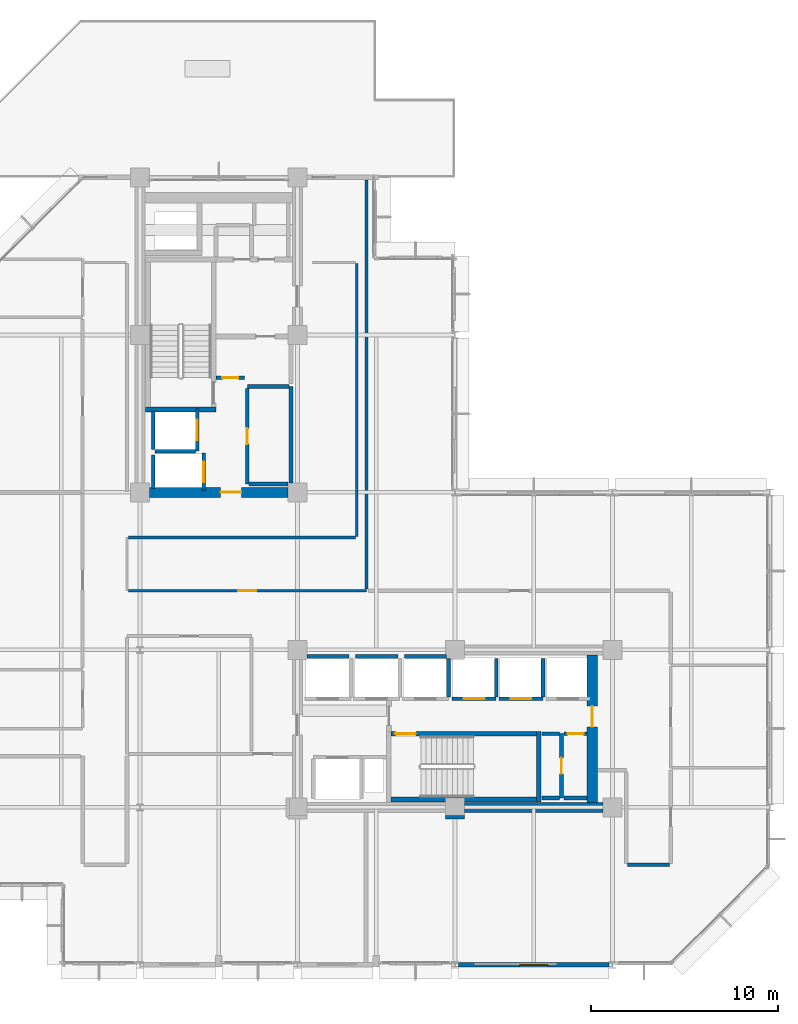
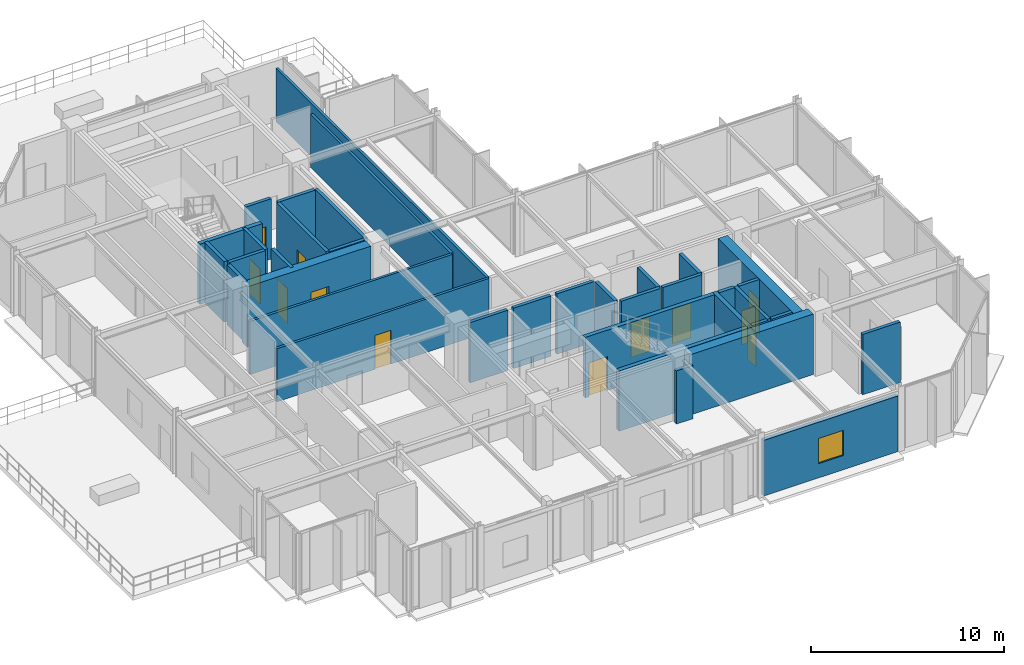
# One storey, part 16 of 21: 37 walls, 12 doors, 1 window, 13 openings.
"""IFC4 building model written with IfcOpenShell, lengths in metres."""

from ifc_helpers import new_model, si_unit, direction, frame, frame_2d, origin, place, context, subcontext, project, spatial, rectangle, extrude, material, layer, layer_set, type_object, element, fill, save


model = new_model("IFC4")

# Units and contexts
model_context = context("Model", 3, precision=1e-05, world=origin(), true_north=direction((0.0, 1.0)))
body_context = subcontext(model_context, "Body", "Model", "MODEL_VIEW")
ifc_project = project(units=[si_unit("LENGTHUNIT", "METRE"), si_unit("AREAUNIT", "SQUARE_METRE"), si_unit("VOLUMEUNIT", "CUBIC_METRE"), si_unit("PLANEANGLEUNIT", "RADIAN"), si_unit("MASSUNIT", "GRAM", prefix="KILO")], contexts=[model_context])

# Site, building, storey
site_placement = place(None, origin())
site = spatial("IfcSite", under=ifc_project, at=site_placement, CompositionType="ELEMENT")
building_placement = place(site_placement, origin())
building = spatial("IfcBuilding", under=site, at=building_placement, Name="Nerrivon Quay Data Exchange", CompositionType="ELEMENT")
storey_placement = place(building_placement, frame((0.0, 0.0, 220.60009765625)))
storey = spatial("IfcBuildingStorey", under=building, at=storey_placement, Name="L52", CompositionType="ELEMENT", Elevation=220.60009765625)

# Wall, opening, window
ifc_material_1 = material(Name="Architectural terracotta precast concrete N50 (50 MPa)", Category="masonry")
ifc_layer_1 = layer(ifc_material_1, 0.239990234375)
ifc_layer_set_1 = layer_set([ifc_layer_1], Name="Architectural terracotta precast concrete N50 (50 MPa)")
wall_type_1 = type_object("IfcWallType", Name="EW-PREC-240", PredefinedType="STANDARD", material=ifc_layer_set_1)
wall_1_placement = place(storey_placement, frame((33.425048828125, 0.0, 0.0), z_axis=(0.0, 0.0, 1.0), x_axis=(-1.0, 0.0, 0.0)))
wall_1 = element("IfcWall", 1, at=wall_1_placement, inside=storey, type_object=wall_type_1, Name="L52 Podium Precast Spandrel Wall 3", PredefinedType="STANDARD", context=body_context, shape_type="SweptSolid", body=[
    extrude(rectangle(XDim=8.050048828125, YDim=0.239990234375, at=frame_2d((4.02490234375, 0.0))), origin(), (0.0, 0.0, 1.0), 3.52490234375),
])
opening_1_placement = place(wall_1_placement, frame((3.27490234375, 0.0, 0.89990234375)))
opening_1 = element("IfcOpeningElement", 2, at=opening_1_placement, cuts=wall_1, Name="Opening WN4", PredefinedType="OPENING", context=body_context, shape_type="SweptSolid", body=[
    extrude(rectangle(XDim=1.5, YDim=1.60009765625, at=frame_2d((0.75, 0.800048828125))), frame((0.0, 0.1298828125, 0.0), z_axis=(0.0, -1.0, 0.0), x_axis=(1.0, 0.0, 0.0)), (0.0, 0.0, 1.0), 0.260009765625),
])
ifc_material_2 = material(Name="Double-glazed low-E solar control glass", Category="glass")
window_type = type_object("IfcWindowType", Name="WIN-W4-1500x1600", PartitioningType="SINGLE_PANEL", PredefinedType="WINDOW", material=ifc_material_2)
window_placement = place(opening_1_placement, origin())
window = element("IfcWindow", 3, at=window_placement, inside=storey, type_object=window_type, Name="L52 Solar Facade Window 3", OverallHeight=1.60009765625, OverallWidth=1.5, PartitioningType="SINGLE_PANEL", PredefinedType="WINDOW", context=body_context, shape_type="SweptSolid", body=[
    extrude(rectangle(XDim=1.5, YDim=1.60009765625, at=frame_2d((0.75, 0.800048828125))), frame((0.0, 0.030029296875, 0.0), z_axis=(0.0, -1.0, 0.0), x_axis=(1.0, 0.0, 0.0)), (0.0, 0.0, 1.0), 0.06005859375),
])
fill(opening_1, window)

# Wall, opening, door
ifc_material_3 = material(Name="Concrete S65 (65 MPa)", Category="concrete")
ifc_layer_2 = layer(ifc_material_3, 0.550048828125)
ifc_layer_set_2 = layer_set([ifc_layer_2], Name="Concrete S65 (65 MPa)")
wall_type_2 = type_object("IfcWallType", Name="WALL-CW-700", PredefinedType="SHEAR", material=ifc_layer_set_2)
wall_2_placement = place(storey_placement, frame((8.89990234375, 25.199951171875, 0.0), z_axis=(0.0, 0.0, 1.0), x_axis=(1.0, 0.0, 0.0)))
wall_2 = element("IfcWall", 4, at=wall_2_placement, inside=storey, type_object=wall_type_2, Name="L52 West Split-Core Shear Wall WCW-S1", PredefinedType="SHEAR", context=body_context, shape_type="SweptSolid", body=[
    extrude(rectangle(XDim=7.400146484375, YDim=0.550048828125, at=frame_2d((3.7001953125, 0.0))), origin(), (0.0, 0.0, 1.0), 3.824951171875),
])
opening_2_placement = place(wall_2_placement, frame((3.800048828125, 0.0, 0.0)))
opening_2 = element("IfcOpeningElement", 5, at=opening_2_placement, cuts=wall_2, Name="Opening FD-120", PredefinedType="OPENING", context=body_context, shape_type="SweptSolid", body=[
    extrude(rectangle(XDim=1.10009765625, YDim=2.14990234375, at=frame_2d((0.550048828125, 1.074951171875))), frame((0.0, 0.284912109375, 0.0), z_axis=(0.0, -1.0, 0.0), x_axis=(1.0, 0.0, 0.0)), (0.0, 0.0, 1.0), 0.570068359375),
])
ifc_material_4 = material(Name="Powder-coated galvanized steel sheet", Category="steel")
door_type_1 = type_object("IfcDoorType", Name="DR-FD120-1100", OperationType="NOTDEFINED", PredefinedType="DOOR", material=ifc_material_4)
door_1_placement = place(opening_2_placement, origin())
door_1 = element("IfcDoor", 6, at=door_1_placement, inside=storey, type_object=door_type_1, Name="L52 West Core Lobby Fire Door", OperationType="SINGLE_SWING_RIGHT", OverallHeight=2.14990234375, OverallWidth=1.10009765625, PredefinedType="DOOR", context=body_context, shape_type="SweptSolid", body=[
    extrude(rectangle(XDim=1.10009765625, YDim=2.14990234375, at=frame_2d((0.550048828125, 1.074951171875))), frame((0.0, 0.02490234375, 0.0), z_axis=(0.0, -1.0, 0.0), x_axis=(1.0, 0.0, 0.0)), (0.0, 0.0, 1.0), 0.050048828125),
])
fill(opening_2, door_1)

# Wall
wall_3_placement = place(storey_placement, frame((25.699951171875, 8.39990234375, 0.0), z_axis=(0.0, 0.0, 1.0), x_axis=(1.0, 0.0, 0.0)))
element("IfcWall", 7, at=wall_3_placement, inside=storey, type_object=wall_type_2, Name="L52 East Split-Core Shear Wall ECW-S2", PredefinedType="SHEAR", context=body_context, shape_type="SweptSolid", body=[
    extrude(rectangle(XDim=7.400146484375, YDim=0.550048828125, at=frame_2d((3.7001953125, 0.0))), origin(), (0.0, 0.0, 1.0), 3.824951171875),
])

# Wall, opening, door
wall_4_placement = place(storey_placement, frame((32.52490234375, 8.675048828125, 0.0), z_axis=(0.0, 0.0, 1.0), x_axis=(0.0, 1.0, 0.0)))
wall_4 = element("IfcWall", 8, at=wall_4_placement, inside=storey, type_object=wall_type_2, Name="L52 East Split-Core Shear Wall ECW-E1", PredefinedType="SHEAR", context=body_context, shape_type="SweptSolid", body=[
    extrude(rectangle(XDim=7.849853515625, YDim=0.550048828125, at=frame_2d((3.9248046875, 0.0))), origin(), (0.0, 0.0, 1.0), 3.824951171875),
])
opening_3_placement = place(wall_4_placement, frame((4.02490234375, 0.0, 0.0)))
opening_3 = element("IfcOpeningElement", 9, at=opening_3_placement, cuts=wall_4, Name="Opening FD-120", PredefinedType="OPENING", context=body_context, shape_type="SweptSolid", body=[
    extrude(rectangle(XDim=1.10009765625, YDim=2.14990234375, at=frame_2d((0.550048828125, 1.074951171875))), frame((0.0, 0.284912109375, 0.0), z_axis=(0.0, -1.0, 0.0), x_axis=(1.0, 0.0, 0.0)), (0.0, 0.0, 1.0), 0.570068359375),
])
door_2_placement = place(opening_3_placement, origin())
door_2 = element("IfcDoor", 10, at=door_2_placement, inside=storey, type_object=door_type_1, Name="L52 East Core Lobby Fire Door", OperationType="SINGLE_SWING_LEFT", OverallHeight=2.14990234375, OverallWidth=1.10009765625, PredefinedType="DOOR", context=body_context, shape_type="SweptSolid", body=[
    extrude(rectangle(XDim=1.10009765625, YDim=2.14990234375, at=frame_2d((0.550048828125, 1.074951171875))), frame((0.0, 0.02490234375, 0.0), z_axis=(0.0, -1.0, 0.0), x_axis=(1.0, 0.0, 0.0)), (0.0, 0.0, 1.0), 0.050048828125),
])
fill(opening_3, door_2)

ifc_material_5 = material(Name="Gypsum plasterboard on cold-formed framing", Category="gypsum")
ifc_layer_3 = layer(ifc_material_5, 0.199951171875)
ifc_layer_set_3 = layer_set([ifc_layer_3], Name="Gypsum plasterboard on cold-formed framing")
wall_type_3 = type_object("IfcWallType", Name="WALL-FW-200", PredefinedType="PARTITIONING", material=ifc_layer_set_3)
wall_5_placement = place(storey_placement, frame((11.449951171875, 27.39990234375, 0.0), z_axis=(0.0, 0.0, 1.0), x_axis=(0.0, 1.0, 0.0)))
wall_5 = element("IfcWall", 11, at=wall_5_placement, inside=storey, type_object=wall_type_3, Name="L52 Lift Front Wall FFL-1", PredefinedType="PARTITIONING", context=body_context, shape_type="SweptSolid", body=[
    extrude(rectangle(XDim=2.25, YDim=0.199951171875, at=frame_2d((1.125, 0.0))), origin(), (0.0, 0.0, 1.0), 3.824951171875),
])
opening_4_placement = place(wall_5_placement, frame((0.574951171875, 0.0, 0.0)))
opening_4 = element("IfcOpeningElement", 12, at=opening_4_placement, cuts=wall_5, Name="Opening LD-120", PredefinedType="OPENING", context=body_context, shape_type="SweptSolid", body=[
    extrude(rectangle(XDim=1.10009765625, YDim=2.199951171875, at=frame_2d((0.550048828125, 1.10009765625))), frame((0.0, 0.10986328125, 0.0), z_axis=(0.0, -1.0, 0.0), x_axis=(1.0, 0.0, 0.0)), (0.0, 0.0, 1.0), 0.219970703125),
])
door_type_2 = type_object("IfcDoorType", Name="DR-LIFT-LD120", OperationType="DOUBLE_DOOR_SLIDING", PredefinedType="DOOR", material=ifc_material_4)
door_3_placement = place(opening_4_placement, origin())
door_3 = element("IfcDoor", 13, at=door_3_placement, inside=storey, type_object=door_type_2, Name="L52 Lift Landing Sliding Door FFL-1", OperationType="DOUBLE_DOOR_SLIDING", OverallHeight=2.199951171875, OverallWidth=1.10009765625, PredefinedType="DOOR", context=body_context, shape_type="SweptSolid", body=[
    extrude(rectangle(XDim=1.10009765625, YDim=2.199951171875, at=frame_2d((0.550048828125, 1.10009765625))), frame((0.0, 0.02490234375, 0.0), z_axis=(0.0, -1.0, 0.0), x_axis=(1.0, 0.0, 0.0)), (0.0, 0.0, 1.0), 0.050048828125),
])
fill(opening_4, door_3)

# Walls
wall_6_placement = place(storey_placement, frame((9.10009765625, 27.5, 0.0), z_axis=(0.0, 0.0, 1.0), x_axis=(0.0, 1.0, 0.0)))
element("IfcWall", 14, at=wall_6_placement, inside=storey, type_object=wall_type_3, Name="L52 Lift Shaft Wall FFL-1 WEST", PredefinedType="PARTITIONING", context=body_context, shape_type="SweptSolid", body=[
    extrude(rectangle(XDim=2.050048828125, YDim=0.199951171875, at=frame_2d((1.02490234375, 0.0))), origin(), (0.0, 0.0, 1.0), 3.824951171875),
])
wall_7_placement = place(storey_placement, frame((9.199951171875, 27.39990234375, 0.0), z_axis=(0.0, 0.0, 1.0), x_axis=(1.0, 0.0, 0.0)))
element("IfcWall", 15, at=wall_7_placement, inside=storey, type_object=wall_type_3, Name="L52 Lift Shaft Wall FFL-1 SOUTH", PredefinedType="PARTITIONING", context=body_context, shape_type="SweptSolid", body=[
    extrude(rectangle(XDim=2.150146484375, YDim=0.199951171875, at=frame_2d((1.0751953125, 0.0))), origin(), (0.0, 0.0, 1.0), 3.824951171875),
])

# Wall, opening, door
wall_8_placement = place(storey_placement, frame((11.800048828125, 25.300048828125, 0.0), z_axis=(0.0, 0.0, 1.0), x_axis=(0.0, 1.0, 0.0)))
wall_8 = element("IfcWall", 16, at=wall_8_placement, inside=storey, type_object=wall_type_3, Name="L52 Lift Front Wall SVL-1", PredefinedType="PARTITIONING", context=body_context, shape_type="SweptSolid", body=[
    extrude(rectangle(XDim=2.0, YDim=0.199951171875, at=frame_2d((1.0, 0.0))), origin(), (0.0, 0.0, 1.0), 3.824951171875),
])
opening_5_placement = place(wall_8_placement, frame((0.449951171875, 0.0, 0.0)))
opening_5 = element("IfcOpeningElement", 17, at=opening_5_placement, cuts=wall_8, Name="Opening LD-120", PredefinedType="OPENING", context=body_context, shape_type="SweptSolid", body=[
    extrude(rectangle(XDim=1.10009765625, YDim=2.199951171875, at=frame_2d((0.550048828125, 1.10009765625))), frame((0.0, 0.10986328125, 0.0), z_axis=(0.0, -1.0, 0.0), x_axis=(1.0, 0.0, 0.0)), (0.0, 0.0, 1.0), 0.219970703125),
])
door_4_placement = place(opening_5_placement, origin())
door_4 = element("IfcDoor", 18, at=door_4_placement, inside=storey, type_object=door_type_2, Name="L52 Lift Landing Sliding Door SVL-1", OperationType="DOUBLE_DOOR_SLIDING", OverallHeight=2.199951171875, OverallWidth=1.10009765625, PredefinedType="DOOR", context=body_context, shape_type="SweptSolid", body=[
    extrude(rectangle(XDim=1.10009765625, YDim=2.199951171875, at=frame_2d((0.550048828125, 1.10009765625))), frame((0.0, 0.02490234375, 0.0), z_axis=(0.0, -1.0, 0.0), x_axis=(1.0, 0.0, 0.0)), (0.0, 0.0, 1.0), 0.050048828125),
])
fill(opening_5, door_4)

# Walls
wall_9_placement = place(storey_placement, frame((9.10009765625, 25.39990234375, 0.0), z_axis=(0.0, 0.0, 1.0), x_axis=(0.0, 1.0, 0.0)))
element("IfcWall", 19, at=wall_9_placement, inside=storey, type_object=wall_type_3, Name="L52 Lift Shaft Wall SVL-1 WEST", PredefinedType="PARTITIONING", context=body_context, shape_type="SweptSolid", body=[
    extrude(rectangle(XDim=1.800048828125, YDim=0.199951171875, at=frame_2d((0.89990234375, 0.0))), origin(), (0.0, 0.0, 1.0), 3.824951171875),
])
for number, where, z_axis, x_axis, name in (
    (20, (17.300048828125, 16.449951171875, 0.0), (0.0, 0.0, 1.0), (1.0, 0.0, 0.0), "L52 Lift Shaft Wall PL4 NORTH"),
    (21, (19.89990234375, 16.449951171875, 0.0), (0.0, 0.0, 1.0), (1.0, 0.0, 0.0), "L52 Lift Shaft Wall PL5 NORTH"),
):
    element("IfcWall", number, at=place(storey_placement, frame(where, z_axis=z_axis, x_axis=x_axis)), inside=storey, type_object=wall_type_3, Name=name, PredefinedType="PARTITIONING", context=body_context, shape_type="SweptSolid", body=[
        extrude(rectangle(XDim=2.25, YDim=0.199951171875, at=frame_2d((1.125, 0.0))), origin(), (0.0, 0.0, 1.0), 3.824951171875),
    ])
wall_10_placement = place(storey_placement, frame((24.85009765625, 14.300048828125, 0.0), z_axis=(0.0, 0.0, 1.0), x_axis=(0.0, 1.0, 0.0)))
element("IfcWall", 22, at=wall_10_placement, inside=storey, type_object=wall_type_3, Name="L52 Lift Shaft Wall PL6 EAST", PredefinedType="PARTITIONING", context=body_context, shape_type="SweptSolid", body=[
    extrude(rectangle(XDim=2.050048828125, YDim=0.199951171875, at=frame_2d((1.02490234375, 0.0))), origin(), (0.0, 0.0, 1.0), 3.824951171875),
])
wall_11_placement = place(storey_placement, frame((22.5, 16.449951171875, 0.0), z_axis=(0.0, 0.0, 1.0), x_axis=(1.0, 0.0, 0.0)))
element("IfcWall", 23, at=wall_11_placement, inside=storey, type_object=wall_type_3, Name="L52 Lift Shaft Wall PL6 NORTH", PredefinedType="PARTITIONING", context=body_context, shape_type="SweptSolid", body=[
    extrude(rectangle(XDim=2.25, YDim=0.199951171875, at=frame_2d((1.125, 0.0))), origin(), (0.0, 0.0, 1.0), 3.824951171875),
])

# Wall, opening, door
wall_12_placement = place(storey_placement, frame((25.050048828125, 14.199951171875, 0.0), z_axis=(0.0, 0.0, 1.0), x_axis=(1.0, 0.0, 0.0)))
wall_12 = element("IfcWall", 24, at=wall_12_placement, inside=storey, type_object=wall_type_3, Name="L52 Lift Front Wall PL7", PredefinedType="PARTITIONING", context=body_context, shape_type="SweptSolid", body=[
    extrude(rectangle(XDim=2.349853515625, YDim=0.199951171875, at=frame_2d((1.1748046875, 0.0))), origin(), (0.0, 0.0, 1.0), 3.824951171875),
])
opening_6_placement = place(wall_12_placement, frame((0.625, 0.0, 0.0)))
opening_6 = element("IfcOpeningElement", 25, at=opening_6_placement, cuts=wall_12, Name="Opening LD-120", PredefinedType="OPENING", context=body_context, shape_type="SweptSolid", body=[
    extrude(rectangle(XDim=1.10009765625, YDim=2.199951171875, at=frame_2d((0.550048828125, 1.10009765625))), frame((0.0, 0.10986328125, 0.0), z_axis=(0.0, -1.0, 0.0), x_axis=(1.0, 0.0, 0.0)), (0.0, 0.0, 1.0), 0.219970703125),
])
door_5_placement = place(opening_6_placement, origin())
door_5 = element("IfcDoor", 26, at=door_5_placement, inside=storey, type_object=door_type_2, Name="L52 Lift Landing Sliding Door PL7", OperationType="DOUBLE_DOOR_SLIDING", OverallHeight=2.199951171875, OverallWidth=1.10009765625, PredefinedType="DOOR", context=body_context, shape_type="SweptSolid", body=[
    extrude(rectangle(XDim=1.10009765625, YDim=2.199951171875, at=frame_2d((0.550048828125, 1.10009765625))), frame((0.0, 0.02490234375, 0.0), z_axis=(0.0, -1.0, 0.0), x_axis=(1.0, 0.0, 0.0)), (0.0, 0.0, 1.0), 0.050048828125),
])
fill(opening_6, door_5)

# Wall
wall_13_placement = place(storey_placement, frame((27.39990234375, 14.300048828125, 0.0), z_axis=(0.0, 0.0, 1.0), x_axis=(0.0, 1.0, 0.0)))
element("IfcWall", 27, at=wall_13_placement, inside=storey, type_object=wall_type_3, Name="L52 Lift Shaft Wall PL7 EAST", PredefinedType="PARTITIONING", context=body_context, shape_type="SweptSolid", body=[
    extrude(rectangle(XDim=2.050048828125, YDim=0.199951171875, at=frame_2d((1.02490234375, 0.0))), origin(), (0.0, 0.0, 1.0), 3.824951171875),
])

# Wall, opening, door
wall_14_placement = place(storey_placement, frame((27.550048828125, 14.199951171875, 0.0), z_axis=(0.0, 0.0, 1.0), x_axis=(1.0, 0.0, 0.0)))
wall_14 = element("IfcWall", 28, at=wall_14_placement, inside=storey, type_object=wall_type_3, Name="L52 Lift Front Wall PL8", PredefinedType="PARTITIONING", context=body_context, shape_type="SweptSolid", body=[
    extrude(rectangle(XDim=2.349853515625, YDim=0.199951171875, at=frame_2d((1.1748046875, 0.0))), origin(), (0.0, 0.0, 1.0), 3.824951171875),
])
opening_7_placement = place(wall_14_placement, frame((0.625, 0.0, 0.0)))
opening_7 = element("IfcOpeningElement", 29, at=opening_7_placement, cuts=wall_14, Name="Opening LD-120", PredefinedType="OPENING", context=body_context, shape_type="SweptSolid", body=[
    extrude(rectangle(XDim=1.10009765625, YDim=2.199951171875, at=frame_2d((0.550048828125, 1.10009765625))), frame((0.0, 0.10986328125, 0.0), z_axis=(0.0, -1.0, 0.0), x_axis=(1.0, 0.0, 0.0)), (0.0, 0.0, 1.0), 0.219970703125),
])
door_6_placement = place(opening_7_placement, origin())
door_6 = element("IfcDoor", 30, at=door_6_placement, inside=storey, type_object=door_type_2, Name="L52 Lift Landing Sliding Door PL8", OperationType="DOUBLE_DOOR_SLIDING", OverallHeight=2.199951171875, OverallWidth=1.10009765625, PredefinedType="DOOR", context=body_context, shape_type="SweptSolid", body=[
    extrude(rectangle(XDim=1.10009765625, YDim=2.199951171875, at=frame_2d((0.550048828125, 1.10009765625))), frame((0.0, 0.02490234375, 0.0), z_axis=(0.0, -1.0, 0.0), x_axis=(1.0, 0.0, 0.0)), (0.0, 0.0, 1.0), 0.050048828125),
])
fill(opening_7, door_6)

# Walls
wall_15_placement = place(storey_placement, frame((29.89990234375, 14.300048828125, 0.0), z_axis=(0.0, 0.0, 1.0), x_axis=(0.0, 1.0, 0.0)))
element("IfcWall", 31, at=wall_15_placement, inside=storey, type_object=wall_type_3, Name="L52 Lift Shaft Wall PL8 EAST", PredefinedType="PARTITIONING", context=body_context, shape_type="SweptSolid", body=[
    extrude(rectangle(XDim=2.050048828125, YDim=0.199951171875, at=frame_2d((1.02490234375, 0.0))), origin(), (0.0, 0.0, 1.0), 3.824951171875),
])
wall_16_placement = place(storey_placement, frame((16.449951171875, 25.705078125, 0.0), z_axis=(0.0, 0.0, 1.0), x_axis=(0.0, 1.0, 0.0)))
element("IfcWall", 32, at=wall_16_placement, inside=storey, type_object=wall_type_3, Name="L52 Partition Fibre Patch Store", PredefinedType="PARTITIONING", context=body_context, shape_type="SweptSolid", body=[
    extrude(rectangle(XDim=5.14501953125, YDim=0.199951171875, at=frame_2d((2.572509765625, 0.0))), origin(), (0.0, 0.0, 1.0), 3.824951171875),
])
wall_17_placement = place(storey_placement, frame((16.345947265625, 30.85009765625, 0.0), z_axis=(0.0, 0.0, 1.0), x_axis=(-1.0, 0.0, 0.0)))
element("IfcWall", 33, at=wall_17_placement, inside=storey, type_object=wall_type_3, Name="L52 Partition Fibre Patch Store", PredefinedType="PARTITIONING", context=body_context, shape_type="SweptSolid", body=[
    extrude(rectangle(XDim=2.225830078125, YDim=0.199951171875, at=frame_2d((1.11279296875, 0.0))), origin(), (0.0, 0.0, 1.0), 3.824951171875),
])

# Wall, opening, door
wall_18_placement = place(storey_placement, frame((14.1201171875, 30.74609375, 0.0), z_axis=(0.0, 0.0, 1.0), x_axis=(0.0, -1.0, 0.0)))
wall_18 = element("IfcWall", 34, at=wall_18_placement, inside=storey, type_object=wall_type_3, Name="L52 Partition Fibre Patch Store", PredefinedType="PARTITIONING", context=body_context, shape_type="SweptSolid", body=[
    extrude(rectangle(XDim=5.09619140625, YDim=0.199951171875, at=frame_2d((2.548095703125, 0.0))), origin(), (0.0, 0.0, 1.0), 3.824951171875),
])
opening_8_placement = place(wall_18_placement, frame((2.123046875, 0.0, 0.0)))
opening_8 = element("IfcOpeningElement", 35, at=opening_8_placement, cuts=wall_18, Name="Opening FD-60S", PredefinedType="OPENING", context=body_context, shape_type="SweptSolid", body=[
    extrude(rectangle(XDim=0.85009765625, YDim=2.14990234375, at=frame_2d((0.425048828125, 1.074951171875))), frame((0.0, 0.10986328125, 0.0), z_axis=(0.0, -1.0, 0.0), x_axis=(1.0, 0.0, 0.0)), (0.0, 0.0, 1.0), 0.219970703125),
])
ifc_material_6 = material(Name="Engineered hardwood timber", Category="wood")
door_type_3 = type_object("IfcDoorType", Name="DR-FD60-850", OperationType="NOTDEFINED", PredefinedType="DOOR", material=ifc_material_6)
door_7_placement = place(opening_8_placement, origin())
door_7 = element("IfcDoor", 36, at=door_7_placement, inside=storey, type_object=door_type_3, Name="L52 Door Fibre Patch Store", OperationType="SINGLE_SWING_LEFT", OverallHeight=2.14990234375, OverallWidth=0.85009765625, PredefinedType="DOOR", context=body_context, shape_type="SweptSolid", body=[
    extrude(rectangle(XDim=0.85009765625, YDim=2.14990234375, at=frame_2d((0.425048828125, 1.074951171875))), frame((0.0, 0.02490234375, 0.0), z_axis=(0.0, -1.0, 0.0), x_axis=(1.0, 0.0, 0.0)), (0.0, 0.0, 1.0), 0.050048828125),
])
fill(opening_8, door_7)

# Wall
wall_19_placement = place(storey_placement, frame((14.22412109375, 25.64990234375, 0.0), z_axis=(0.0, 0.0, 1.0), x_axis=(1.0, 0.0, 0.0)))
element("IfcWall", 37, at=wall_19_placement, inside=storey, type_object=wall_type_3, Name="L52 Partition Fibre Patch Store", PredefinedType="PARTITIONING", context=body_context, shape_type="SweptSolid", body=[
    extrude(rectangle(XDim=2.07080078125, YDim=0.199951171875, at=frame_2d((1.035400390625, 0.0))), origin(), (0.0, 0.0, 1.0), 3.824951171875),
])

# Wall, opening, door
wall_20_placement = place(storey_placement, frame((12.4541015625, 31.320068359375, 0.0), z_axis=(0.0, 0.0, 1.0), x_axis=(0.999999949061, -0.000319182876, 0.0)))
wall_20 = element("IfcWall", 38, at=wall_20_placement, inside=storey, type_object=wall_type_3, Name="L52 Partition Core Equipment Closet", PredefinedType="PARTITIONING", context=body_context, shape_type="SweptSolid", body=[
    extrude(rectangle(XDim=1.52978515625, YDim=0.199951171875, at=frame_2d((0.764892578125, 0.0))), origin(), (0.0, 0.0, 1.0), 3.824951171875),
])
opening_9_placement = place(wall_20_placement, frame((0.340087890625, 0.0, 0.0)))
opening_9 = element("IfcOpeningElement", 39, at=opening_9_placement, cuts=wall_20, Name="Opening FD-60S", PredefinedType="OPENING", context=body_context, shape_type="SweptSolid", body=[
    extrude(rectangle(XDim=0.85009765625, YDim=2.14990234375, at=frame_2d((0.425048828125, 1.074951171875))), frame((0.0, 0.10986328125, 0.0), z_axis=(0.0, -1.0, 0.0), x_axis=(1.0, 0.0, 0.0)), (0.0, 0.0, 1.0), 0.219970703125),
])
door_8_placement = place(opening_9_placement, origin())
door_8 = element("IfcDoor", 40, at=door_8_placement, inside=storey, type_object=door_type_3, Name="L52 Door Core Equipment Closet", OperationType="SINGLE_SWING_RIGHT", OverallHeight=2.14990234375, OverallWidth=0.85009765625, PredefinedType="DOOR", context=body_context, shape_type="SweptSolid", body=[
    extrude(rectangle(XDim=0.85009765625, YDim=2.14990234375, at=frame_2d((0.425048828125, 1.074951171875))), frame((0.0, 0.02490234375, 0.0), z_axis=(0.0, -1.0, 0.0), x_axis=(1.0, 0.0, 0.0)), (0.0, 0.0, 1.0), 0.050048828125),
])
fill(opening_9, door_8)

wall_21_placement = place(storey_placement, frame((30.8798828125, 8.89990234375, 0.0), z_axis=(0.0, 0.0, 1.0), x_axis=(0.0, 1.0, 0.0)))
wall_21 = element("IfcWall", 41, at=wall_21_placement, inside=storey, type_object=wall_type_3, Name="L52 Partition East Electrical Closet", PredefinedType="PARTITIONING", context=body_context, shape_type="SweptSolid", body=[
    extrude(rectangle(XDim=3.43017578125, YDim=0.199951171875, at=frame_2d((1.715087890625, 0.0))), origin(), (0.0, 0.0, 1.0), 3.824951171875),
])
opening_10_placement = place(wall_21_placement, frame((1.2900390625, 0.0, 0.0)))
opening_10 = element("IfcOpeningElement", 42, at=opening_10_placement, cuts=wall_21, Name="Opening FD-60S", PredefinedType="OPENING", context=body_context, shape_type="SweptSolid", body=[
    extrude(rectangle(XDim=0.85009765625, YDim=2.14990234375, at=frame_2d((0.425048828125, 1.074951171875))), frame((0.0, 0.10986328125, 0.0), z_axis=(0.0, -1.0, 0.0), x_axis=(1.0, 0.0, 0.0)), (0.0, 0.0, 1.0), 0.219970703125),
])
door_9_placement = place(opening_10_placement, origin())
door_9 = element("IfcDoor", 43, at=door_9_placement, inside=storey, type_object=door_type_3, Name="L52 Door East Electrical Closet", OperationType="SINGLE_SWING_LEFT", OverallHeight=2.14990234375, OverallWidth=0.85009765625, PredefinedType="DOOR", context=body_context, shape_type="SweptSolid", body=[
    extrude(rectangle(XDim=0.85009765625, YDim=2.14990234375, at=frame_2d((0.425048828125, 1.074951171875))), frame((0.0, 0.02490234375, 0.0), z_axis=(0.0, -1.0, 0.0), x_axis=(1.0, 0.0, 0.0)), (0.0, 0.0, 1.0), 0.050048828125),
])
fill(opening_10, door_9)

# Walls
for number, where, z_axis, x_axis, name in (
    (44, (30.77587890625, 12.330078125, 0.0), (0.0, 0.0, 1.0), (-1.0, 0.0, 0.0), "L52 Partition East Electrical Closet"),
    (45, (29.85009765625, 8.89990234375, 0.0), (0.0, 0.0, 1.0), (1.0, 0.0, 0.0), "L52 Partition East Electrical Closet"),
):
    element("IfcWall", number, at=place(storey_placement, frame(where, z_axis=z_axis, x_axis=x_axis)), inside=storey, type_object=wall_type_3, Name=name, PredefinedType="PARTITIONING", context=body_context, shape_type="SweptSolid", body=[
        extrude(rectangle(XDim=0.92578125, YDim=0.199951171875, at=frame_2d((0.462890625, 0.0))), origin(), (0.0, 0.0, 1.0), 3.824951171875),
    ])

# Wall, opening, door
wall_22_placement = place(storey_placement, frame((32.24609375, 12.330078125, 0.0), z_axis=(0.0, 0.0, 1.0), x_axis=(-1.0, 0.0, 0.0)))
wall_22 = element("IfcWall", 46, at=wall_22_placement, inside=storey, type_object=wall_type_3, Name="L52 Partition East Cleaners Store", PredefinedType="PARTITIONING", context=body_context, shape_type="SweptSolid", body=[
    extrude(rectangle(XDim=1.22607421875, YDim=0.199951171875, at=frame_2d((0.613037109375, 0.0))), origin(), (0.0, 0.0, 1.0), 3.824951171875),
])
opening_11_placement = place(wall_22_placement, frame((0.18798828125, 0.0, 0.0)))
opening_11 = element("IfcOpeningElement", 47, at=opening_11_placement, cuts=wall_22, Name="Opening FD-60S", PredefinedType="OPENING", context=body_context, shape_type="SweptSolid", body=[
    extrude(rectangle(XDim=0.85009765625, YDim=2.14990234375, at=frame_2d((0.425048828125, 1.074951171875))), frame((0.0, 0.10986328125, 0.0), z_axis=(0.0, -1.0, 0.0), x_axis=(1.0, 0.0, 0.0)), (0.0, 0.0, 1.0), 0.219970703125),
])
door_10_placement = place(opening_11_placement, origin())
door_10 = element("IfcDoor", 48, at=door_10_placement, inside=storey, type_object=door_type_3, Name="L52 Door East Cleaners Store", OperationType="SINGLE_SWING_RIGHT", OverallHeight=2.14990234375, OverallWidth=0.85009765625, PredefinedType="DOOR", context=body_context, shape_type="SweptSolid", body=[
    extrude(rectangle(XDim=0.85009765625, YDim=2.14990234375, at=frame_2d((0.425048828125, 1.074951171875))), frame((0.0, 0.02490234375, 0.0), z_axis=(0.0, -1.0, 0.0), x_axis=(1.0, 0.0, 0.0)), (0.0, 0.0, 1.0), 0.050048828125),
])
fill(opening_11, door_10)

# Walls
wall_23_placement = place(storey_placement, frame((31.02001953125, 8.89990234375, 0.0), z_axis=(0.0, 0.0, 1.0), x_axis=(1.0, 0.0, 0.0)))
element("IfcWall", 49, at=wall_23_placement, inside=storey, type_object=wall_type_3, Name="L52 Partition East Cleaners Store", PredefinedType="PARTITIONING", context=body_context, shape_type="SweptSolid", body=[
    extrude(rectangle(XDim=1.22607421875, YDim=0.199951171875, at=frame_2d((0.613037109375, 0.0))), origin(), (0.0, 0.0, 1.0), 3.824951171875),
])
wall_24_placement = place(storey_placement, frame((25.703857421875, 7.88037109375, 0.0), z_axis=(0.0, 0.0, 1.0), x_axis=(-0.999999881717, -0.000486381265, 0.0)))
element("IfcWall", 50, at=wall_24_placement, inside=storey, type_object=wall_type_3, Name="L52 Partition Colocation Data Workspace 1", PredefinedType="PARTITIONING", context=body_context, shape_type="SweptSolid", body=[
    extrude(rectangle(XDim=1.00390625, YDim=0.199951171875, at=frame_2d((0.501953125, 0.0))), origin(), (0.0, 0.0, 1.0), 3.370849609375),
])
wall_25_placement = place(storey_placement, frame((36.64990234375, 5.340087890625, 0.0), z_axis=(0.0, 0.0, 1.0), x_axis=(-1.0, 0.0, 0.0)))
element("IfcWall", 51, at=wall_25_placement, inside=storey, type_object=wall_type_3, Name="L52 Partition Colocation Data Workspace 1", PredefinedType="PARTITIONING", context=body_context, shape_type="SweptSolid", body=[
    extrude(rectangle(XDim=2.25, YDim=0.199951171875, at=frame_2d((1.125, 0.0))), origin(), (0.0, 0.0, 1.0), 3.824951171875),
])

# Wall, opening, door
ifc_layer_4 = layer(ifc_material_5, 0.14990234375)
ifc_layer_set_4 = layer_set([ifc_layer_4], Name="Gypsum plasterboard on cold-formed framing")
wall_type_4 = type_object("IfcWallType", Name="WALL-PT-150", PredefinedType="PARTITIONING", material=ifc_layer_set_4)
wall_26_placement = place(storey_placement, frame((7.77392578125, 19.9599609375, 0.0), z_axis=(0.0, 0.0, 1.0), x_axis=(1.0, 0.0, 0.0)))
wall_26 = element("IfcWall", 52, at=wall_26_placement, inside=storey, type_object=wall_type_4, Name="L52 Partition Peering Huddle Meeting Room", PredefinedType="PARTITIONING", context=body_context, shape_type="SweptSolid", body=[
    extrude(rectangle(XDim=12.702880859375, YDim=0.14990234375, at=frame_2d((6.3515625, 0.0))), origin(), (0.0, 0.0, 1.0), 3.370849609375),
])
opening_12_placement = place(wall_26_placement, frame((5.87646484375, 0.0, 0.0)))
opening_12 = element("IfcOpeningElement", 53, at=opening_12_placement, cuts=wall_26, Name="Opening D-01", PredefinedType="OPENING", context=body_context, shape_type="SweptSolid", body=[
    extrude(rectangle(XDim=0.949951171875, YDim=2.14990234375, at=frame_2d((0.47509765625, 1.074951171875))), frame((0.0, 0.0849609375, 0.0), z_axis=(0.0, -1.0, 0.0), x_axis=(1.0, 0.0, 0.0)), (0.0, 0.0, 1.0), 0.169921875),
])
door_type_4 = type_object("IfcDoorType", Name="DR-INT-950", OperationType="NOTDEFINED", PredefinedType="DOOR", material=ifc_material_6)
door_11_placement = place(opening_12_placement, origin())
door_11 = element("IfcDoor", 54, at=door_11_placement, inside=storey, type_object=door_type_4, Name="L52 Door Peering Huddle Meeting Room", OperationType="SINGLE_SWING_LEFT", OverallHeight=2.14990234375, OverallWidth=0.949951171875, PredefinedType="DOOR", context=body_context, shape_type="SweptSolid", body=[
    extrude(rectangle(XDim=0.949951171875, YDim=2.14990234375, at=frame_2d((0.47509765625, 1.074951171875))), frame((0.0, 0.02490234375, 0.0), z_axis=(0.0, -1.0, 0.0), x_axis=(1.0, 0.0, 0.0)), (0.0, 0.0, 1.0), 0.050048828125),
])
fill(opening_12, door_11)

# Walls
wall_27_placement = place(storey_placement, frame((20.476806640625, 20.0390625, 0.0), z_axis=(0.0, 0.0, 1.0), x_axis=(0.0, 1.0, 0.0)))
element("IfcWall", 55, at=wall_27_placement, inside=storey, type_object=wall_type_4, Name="L52 Partition Peering Huddle Meeting Room", PredefinedType="PARTITIONING", context=body_context, shape_type="SweptSolid", body=[
    extrude(rectangle(XDim=21.8369140625, YDim=0.14990234375, at=frame_2d((10.91845703125, 0.0))), origin(), (0.0, 0.0, 1.0), 3.364990234375),
])
wall_28_placement = place(storey_placement, frame((19.9599609375, 37.39990234375, 0.0), z_axis=(0.0, 0.0, 1.0), x_axis=(0.0, -1.0, 0.0)))
element("IfcWall", 56, at=wall_28_placement, inside=storey, type_object=wall_type_4, Name="L52 Partition Peering Huddle Meeting Room", PredefinedType="PARTITIONING", context=body_context, shape_type="SweptSolid", body=[
    extrude(rectangle(XDim=14.5498046875, YDim=0.14990234375, at=frame_2d((7.27490234375, 0.0))), origin(), (0.0, 0.0, 1.0), 3.364990234375),
])
wall_29_placement = place(storey_placement, frame((19.89990234375, 22.7900390625, 0.0), z_axis=(0.0, 0.0, 1.0), x_axis=(-1.0, 0.0, 0.0)))
element("IfcWall", 57, at=wall_29_placement, inside=storey, type_object=wall_type_4, Name="L52 Partition Peering Huddle Meeting Room", PredefinedType="PARTITIONING", context=body_context, shape_type="SweptSolid", body=[
    extrude(rectangle(XDim=12.1259765625, YDim=0.14990234375, at=frame_2d((6.06298828125, 0.0))), origin(), (0.0, 0.0, 1.0), 3.370849609375),
])
ifc_material_7 = material(Name="Concrete N50 (50 MPa)", Category="concrete")
ifc_layer_5 = layer(ifc_material_7, 0.25)
ifc_layer_set_5 = layer_set([ifc_layer_5], Name="Concrete N50 (50 MPa)")
wall_type_5 = type_object("IfcWallType", Name="WALL-SW-250", PredefinedType="SHEAR", material=ifc_layer_set_5)
for number, where, z_axis, x_axis, name in (
    (58, (12.449951171875, 29.625, 0.0), (0.0, 0.0, 1.0), (-1.0, 0.0, 0.0), "L52 ST01 Structural Stair Core Wall NEAR"),
    (59, (29.675048828125, 8.699951171875, 0.0), (0.0, 0.0, 1.0), (0.0, 1.0, 0.0), "L52 ST02 Structural Stair Core Wall FAR"),
):
    element("IfcWall", number, at=place(storey_placement, frame(where, z_axis=z_axis, x_axis=x_axis)), inside=storey, type_object=wall_type_5, Name=name, PredefinedType="SHEAR", context=body_context, shape_type="SweptSolid", body=[
        extrude(rectangle(XDim=3.75, YDim=0.25, at=frame_2d((1.875, 0.0))), origin(), (0.0, 0.0, 1.0), 3.824951171875),
    ])
wall_30_placement = place(storey_placement, frame((21.800048828125, 8.824951171875, 0.0), z_axis=(0.0, 0.0, 1.0), x_axis=(1.0, 0.0, 0.0)))
element("IfcWall", 60, at=wall_30_placement, inside=storey, type_object=wall_type_5, Name="L52 ST02 Structural Stair Core Wall LEFT", PredefinedType="SHEAR", context=body_context, shape_type="SweptSolid", body=[
    extrude(rectangle(XDim=7.75, YDim=0.25, at=frame_2d((3.875, 0.0))), origin(), (0.0, 0.0, 1.0), 3.824951171875),
])

# Wall, opening, door
wall_31_placement = place(storey_placement, frame((21.800048828125, 12.324951171875, 0.0), z_axis=(0.0, 0.0, 1.0), x_axis=(1.0, 0.0, 0.0)))
wall_31 = element("IfcWall", 61, at=wall_31_placement, inside=storey, type_object=wall_type_5, Name="L52 ST02 Structural Stair Core Wall RIGHT", PredefinedType="SHEAR", context=body_context, shape_type="SweptSolid", body=[
    extrude(rectangle(XDim=7.75, YDim=0.25, at=frame_2d((3.875, 0.0))), origin(), (0.0, 0.0, 1.0), 3.824951171875),
])
opening_13_placement = place(wall_31_placement, frame((0.219970703125, 0.0, 0.0)))
opening_13 = element("IfcOpeningElement", 62, at=opening_13_placement, cuts=wall_31, Name="Opening FD-120", PredefinedType="OPENING", context=body_context, shape_type="SweptSolid", body=[
    extrude(rectangle(XDim=1.10009765625, YDim=2.14990234375, at=frame_2d((0.550048828125, 1.074951171875))), frame((0.0, 0.135009765625, 0.0), z_axis=(0.0, -1.0, 0.0), x_axis=(1.0, 0.0, 0.0)), (0.0, 0.0, 1.0), 0.27001953125),
])
door_12_placement = place(opening_13_placement, origin())
door_12 = element("IfcDoor", 63, at=door_12_placement, inside=storey, type_object=door_type_1, Name="L52 Protected Stair Door ST02", OperationType="SINGLE_SWING_RIGHT", OverallHeight=2.14990234375, OverallWidth=1.10009765625, PredefinedType="DOOR", context=body_context, shape_type="SweptSolid", body=[
    extrude(rectangle(XDim=1.10009765625, YDim=2.14990234375, at=frame_2d((0.550048828125, 1.074951171875))), frame((0.0, 0.02490234375, 0.0), z_axis=(0.0, -1.0, 0.0), x_axis=(1.0, 0.0, 0.0)), (0.0, 0.0, 1.0), 0.050048828125),
])
fill(opening_13, door_12)

save(model, "model.ifc")
